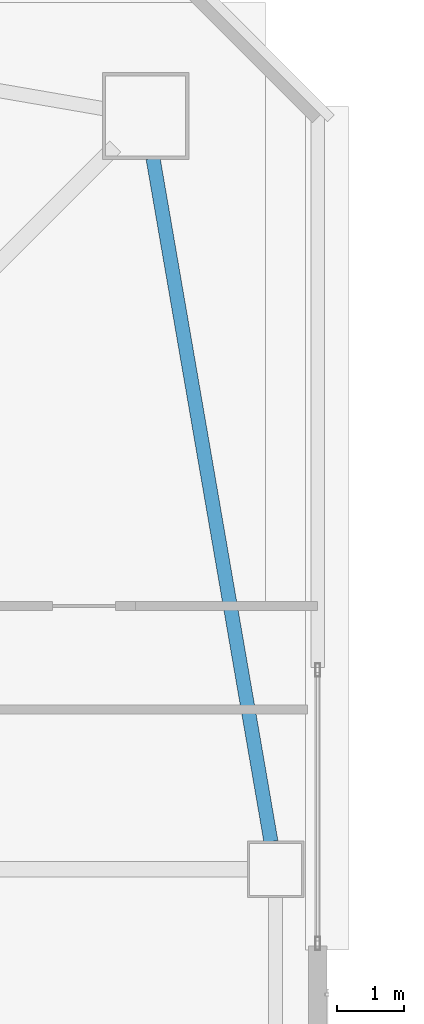
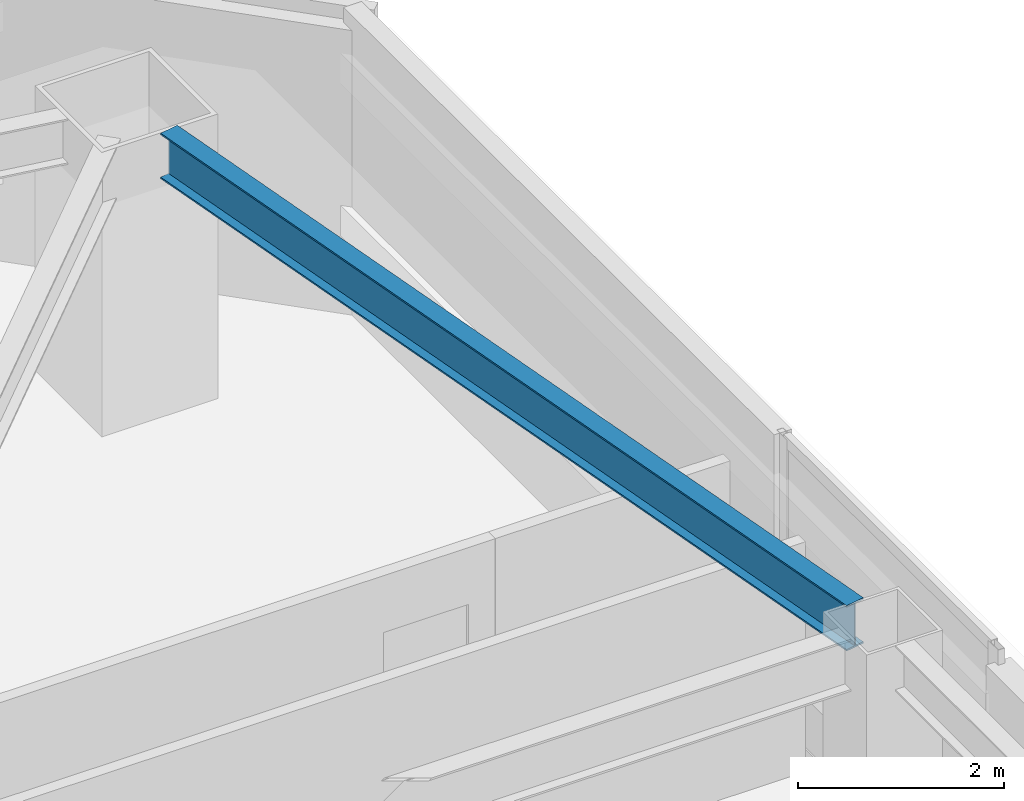
# One storey, part 16 of 40: 1 beam.
"""IFC4 building model written with IfcOpenShell, lengths in metres."""

from ifc_helpers import new_model, si_unit, direction, frame, origin, origin_2d, place, context, subcontext, project, spatial, i_section, extrude, material, material_profile, profile_set, type_object, element, save


model = new_model("IFC4")

# Units and contexts
model_context = context("Model", 3, precision=1e-05, world=origin(), true_north=direction((0.0, 1.0)))
body_context = subcontext(model_context, "Body", "Model", "MODEL_VIEW")
ifc_project = project(units=[si_unit("LENGTHUNIT", "METRE"), si_unit("AREAUNIT", "SQUARE_METRE"), si_unit("VOLUMEUNIT", "CUBIC_METRE"), si_unit("PLANEANGLEUNIT", "RADIAN"), si_unit("MASSUNIT", "GRAM", prefix="KILO")], contexts=[model_context])

# Site, building, storey
site_placement = place(None, origin())
site = spatial("IfcSite", under=ifc_project, at=site_placement, CompositionType="ELEMENT")
building_placement = place(site_placement, origin())
building = spatial("IfcBuilding", under=site, at=building_placement, Name="Tashvorn Skyway Center", CompositionType="ELEMENT")
storey_placement = place(building_placement, frame((0.0, 0.0, 142.800048828125)))
storey = spatial("IfcBuildingStorey", under=building, at=storey_placement, Name="L38", CompositionType="ELEMENT", Elevation=142.800048828125)

# Beam
ifc_material = material(Name="Steel ASTM A992 Grade 50", Category="steel")
ifc_material_profile = material_profile(ifc_material, i_section(OverallWidth=0.2109375, OverallDepth=0.5390625, WebThickness=0.01171875, FlangeThickness=0.018798828125, at=origin_2d()), Name="W21X73")
ifc_profile_set = profile_set([ifc_material_profile], Name="Steel ASTM A992 Grade 50")
beam_type = type_object("IfcBeamType", Name="BM-SPANDREL-W21X73", PredefinedType="SPANDREL", material=ifc_profile_set)
beam_placement = place(storey_placement, frame((60.57861328125, 37.81396484375, 3.100341796875), z_axis=(-0.170067250846, 0.985432458462, 0.0), x_axis=(-0.985432458462, -0.170067250846, 0.0)))
element("IfcBeam", 1, at=beam_placement, inside=storey, type_object=beam_type, Name="Tower 1 L38 Spandrel Beam 06", PredefinedType="SPANDREL", context=body_context, shape_type="SweptSolid", body=[
    extrude(i_section(OverallWidth=0.2109375, OverallDepth=0.5390625, WebThickness=0.01171875, FlangeThickness=0.018798828125, at=origin_2d()), origin(), (0.0, 0.0, 1.0), 10.402099609375),
])

save(model, "model.ifc")
